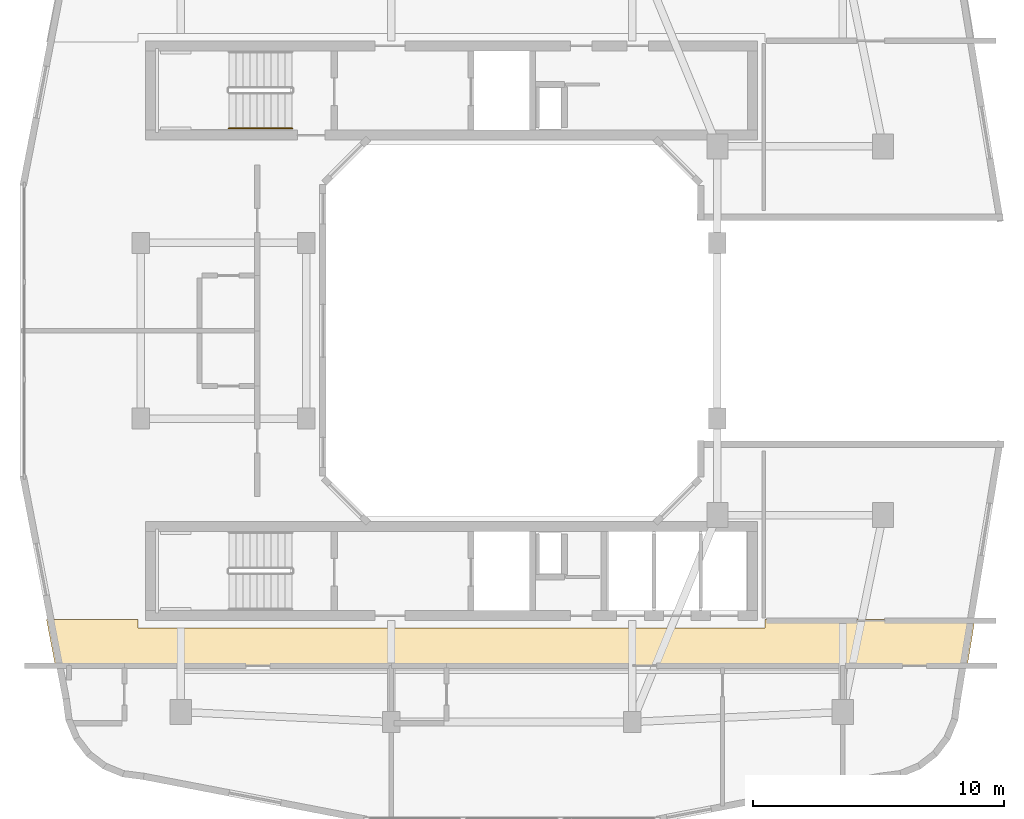
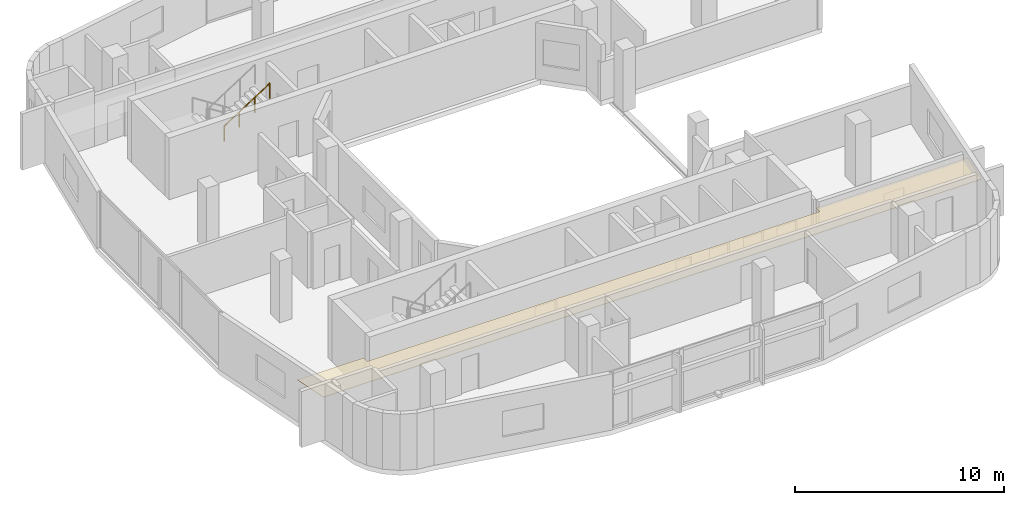
# One storey, part 10 of 12: 1 covering, 1 railing.
"""IFC4 building model written with IfcOpenShell, lengths in metres."""

import ifcopenshell
import ifcopenshell.guid

model = None  # the IFC model being written
_history = None  # IfcOwnerHistory: only IFC2X3 demands one
_inside = {}  # id of a spatial element -> (the spatial element, [elements in it])
_under = {}  # id of a project, library or spatial element -> (it, [spatial elements below it])
_declared = {}  # id of a project -> (the project, [libraries it declares])
_typed = {}  # id of a type object -> (the type object, [elements of that type])
_made_of = {}  # id of a material, layer set ... -> (it, [elements and type objects made of it])


def new_model(schema):
    """Start an empty IFC model of exactly this schema.

    Asked for "IFC4X3", IfcOpenShell would pick the latest addendum, in which some entities
    have other attributes; the version numbers below select the first issue.
    IFC2X3 requires an IfcOwnerHistory on every rooted entity: one is made here for all.
    """
    global model, _history
    if schema == "IFC4X3":
        model = ifcopenshell.file(schema_version=(4, 3, 0, 0))
    else:
        model = ifcopenshell.file(schema=schema)
    _inside.clear()
    _under.clear()
    _declared.clear()
    _typed.clear()
    _made_of.clear()
    _history = None
    if model.schema == "IFC2X3":
        org = make("IfcOrganization", Name="unknown")
        user = make(
            "IfcPersonAndOrganization",
            ThePerson=make("IfcPerson", FamilyName="unknown"),
            TheOrganization=org,
        )
        app = make(
            "IfcApplication",
            ApplicationDeveloper=org,
            Version="unknown",
            ApplicationFullName="unknown",
            ApplicationIdentifier="unknown",
        )
        _history = make(
            "IfcOwnerHistory",
            OwningUser=user,
            OwningApplication=app,
            ChangeAction="ADDED",
            CreationDate=0,
        )
    return model


def make(cls, **values):
    """One entity of the class cls with the attributes given. An attribute that is None is left unset."""
    return model.create_entity(
        cls, **{name: value for name, value in values.items() if value is not None}
    )


def rooted(cls, **values):
    """An entity with a GlobalId (a new one), such as an element, a storey or a relation."""
    return make(cls, GlobalId=ifcopenshell.guid.new(), OwnerHistory=_history, **values)


def si_unit(unit_type, name, prefix=None):
    """IfcSIUnit, for example si_unit("LENGTHUNIT", "METRE", prefix="MILLI")."""
    return make("IfcSIUnit", UnitType=unit_type, Prefix=prefix, Name=name)


def derived_unit(unit_type, elements):
    """IfcDerivedUnit: a product of units, each with its exponent."""
    return make(
        "IfcDerivedUnit",
        Elements=[
            make("IfcDerivedUnitElement", Unit=unit, Exponent=power)
            for unit, power in elements
        ],
        UnitType=unit_type,
    )


def assignment(units):
    """IfcUnitAssignment: the units of a project."""
    return None if units is None else make("IfcUnitAssignment", Units=units)


def point(xyz):
    """IfcCartesianPoint."""
    return None if xyz is None else make("IfcCartesianPoint", Coordinates=xyz)


def direction(xyz):
    """IfcDirection."""
    return None if xyz is None else make("IfcDirection", DirectionRatios=xyz)


def frame(location, z_axis=None, x_axis=None):
    """IfcAxis2Placement3D, a coordinate frame: its origin and axes. An axis left out is left unset."""
    return make(
        "IfcAxis2Placement3D",
        Location=point(location),
        Axis=direction(z_axis),
        RefDirection=direction(x_axis),
    )


def frame_2d(location, x_axis=None):
    """IfcAxis2Placement2D, a coordinate frame in the plane: its origin and x axis."""
    return make(
        "IfcAxis2Placement2D", Location=point(location), RefDirection=direction(x_axis)
    )


def origin():
    """The frame at (0, 0, 0) with its axes left unset."""
    return frame((0.0, 0.0, 0.0))


def origin_2d():
    """The frame at (0, 0) in the plane with its x axis left unset."""
    return frame_2d((0.0, 0.0))


def place(relative_to, where):
    """IfcLocalPlacement: puts the frame where relative to a parent placement (None: the world)."""
    return make(
        "IfcLocalPlacement", PlacementRelTo=relative_to, RelativePlacement=where
    )


def context(
    kind, dimensions, precision=None, world=None, true_north=None, identifier=None
):
    """IfcGeometricRepresentationContext, for example the 3D "Model" context."""
    return make(
        "IfcGeometricRepresentationContext",
        ContextIdentifier=identifier,
        ContextType=kind,
        CoordinateSpaceDimension=dimensions,
        Precision=precision,
        WorldCoordinateSystem=world,
        TrueNorth=true_north,
    )


def subcontext(parent, identifier, kind, view, scale=None):
    """IfcGeometricRepresentationSubContext, for example "Body" below "Model"."""
    return make(
        "IfcGeometricRepresentationSubContext",
        ContextIdentifier=identifier,
        ContextType=kind,
        ParentContext=parent,
        TargetScale=scale,
        TargetView=view,
    )


def project(units=None, contexts=None):
    """IfcProject with its units and contexts."""
    return rooted(
        "IfcProject",
        Name="project",
        RepresentationContexts=contexts,
        UnitsInContext=assignment(units),
    )


def spatial(cls, under=None, at=None, **own):
    """A site, building, storey or space (cls), placed at a placement, below another one or the project."""
    s = rooted(cls, ObjectPlacement=at, **own)
    if under is not None:
        _under.setdefault(under.id(), (under, []))[1].append(s)
    return s


def polyline(points):
    """IfcPolyline through the points."""
    return make("IfcPolyline", Points=[point(p) for p in points])


def profile(cls, at=None, kind="AREA", **sizes):
    """A parametric profile (cls). Its sizes go by their IFC names, for example OverallWidth=200.0."""
    return make(cls, ProfileType=kind, Position=at, **sizes)


def circle(**sizes):
    """IfcCircleProfileDef."""
    return profile("IfcCircleProfileDef", **sizes)


def outline(outer, holes=None, kind="AREA"):
    """IfcArbitraryClosedProfileDef: a profile drawn as a closed curve; with holes, ...WithVoids."""
    if holes is None:
        return make("IfcArbitraryClosedProfileDef", ProfileType=kind, OuterCurve=outer)
    return make(
        "IfcArbitraryProfileDefWithVoids",
        ProfileType=kind,
        OuterCurve=outer,
        InnerCurves=holes,
    )


def extrude(swept, where, along, depth):
    """IfcExtrudedAreaSolid: the profile swept, set in the frame where, extruded along a direction by depth."""
    return make(
        "IfcExtrudedAreaSolid",
        SweptArea=swept,
        Position=where,
        ExtrudedDirection=direction(along),
        Depth=depth,
    )


def shape(context_of_items, identifier, shape_type, items):
    """IfcShapeRepresentation: the items that make up one representation, for example the "Body"."""
    return make(
        "IfcShapeRepresentation",
        ContextOfItems=context_of_items,
        RepresentationIdentifier=identifier,
        RepresentationType=shape_type,
        Items=items,
    )


def material(Name=None, Category=None):
    """IfcMaterial."""
    return make("IfcMaterial", Name=Name, Category=Category)


def layer(
    of_material, thickness, ventilated=None, Name=None, Category=None, Priority=None
):
    """IfcMaterialLayer: one layer of a wall or slab, of a material (None: an air gap)."""
    return make(
        "IfcMaterialLayer",
        Material=of_material,
        LayerThickness=thickness,
        IsVentilated=ventilated,
        Name=Name,
        Category=Category,
        Priority=Priority,
    )


def layer_set(layers, Name=None):
    """IfcMaterialLayerSet."""
    return make("IfcMaterialLayerSet", MaterialLayers=layers, LayerSetName=Name)


def made_of(thing, what):
    """Note that an element or type object is made of a material, layer set ...; save() writes the relation."""
    if what is not None:
        _made_of.setdefault(what.id(), (what, []))[1].append(thing)
    return thing


def type_object(cls, material=None, **own):
    """A type object (cls), such as IfcWallType, which elements share."""
    return made_of(rooted(cls, **own), material)


def element(
    cls,
    number,
    at=None,
    inside=None,
    cuts=None,
    type_object=None,
    material=None,
    context=None,
    identifier="Body",
    shape_type=None,
    held_by="IfcProductDefinitionShape",
    body=None,
    shapes=None,
    **own,
):
    """One element of the class cls, such as IfcWall. Its Tag is "e" and its number.

    at: its placement. inside: the storey or other place that contains it. cuts: it is an
    opening in that element (IfcRelVoidsElement). A single representation is given by context,
    identifier, shape_type and body (its items); several are given by shapes. held_by: the class
    of the entity that holds the representations. save() writes the other relations.
    """
    e = rooted(cls, Tag="e%d" % number, ObjectPlacement=at, **own)
    if body is not None:
        shapes = [shape(context, identifier, shape_type, body)]
    if shapes is not None:
        e.Representation = make(held_by, Representations=shapes)
    if inside is not None:
        _inside.setdefault(inside.id(), (inside, []))[1].append(e)
    if cuts is not None:
        rooted(
            "IfcRelVoidsElement", RelatingBuildingElement=cuts, RelatedOpeningElement=e
        )
    if type_object is not None:
        _typed.setdefault(type_object.id(), (type_object, []))[1].append(e)
    return made_of(e, material)


def aggregate(whole, parts):
    """IfcRelAggregates: a whole, such as a stair, and the parts it consists of."""
    return rooted("IfcRelAggregates", RelatingObject=whole, RelatedObjects=parts)


def save(model, path):
    """Write the relations noted so far, then the file.

    IfcRelAggregates (storeys below a building ...), IfcRelContainedInSpatialStructure (elements
    in a storey), IfcRelDefinesByType, IfcRelAssociatesMaterial and IfcRelDeclares: one each for
    every whole, place, type object, material and project.
    """
    for whole, parts in _under.values():
        aggregate(whole, parts)
    for where, things in _inside.values():
        rooted(
            "IfcRelContainedInSpatialStructure",
            RelatedElements=things,
            RelatingStructure=where,
        )
    for kind, things in _typed.values():
        rooted("IfcRelDefinesByType", RelatedObjects=things, RelatingType=kind)
    for what, things in _made_of.values():
        rooted("IfcRelAssociatesMaterial", RelatedObjects=things, RelatingMaterial=what)
    for by, libraries in _declared.values():
        rooted("IfcRelDeclares", RelatingContext=by, RelatedDefinitions=libraries)
    model.write(path)


model = new_model("IFC4")

# Units and contexts
model_context = context("Model", 3, precision=1e-05, world=origin(), true_north=direction((0.0, 1.0)))
body_context = subcontext(model_context, "Body", "Model", "MODEL_VIEW")
ifc_project = project(units=[si_unit("LENGTHUNIT", "METRE"), si_unit("AREAUNIT", "SQUARE_METRE"), si_unit("VOLUMEUNIT", "CUBIC_METRE"), si_unit("PLANEANGLEUNIT", "RADIAN"), si_unit("MASSUNIT", "GRAM", prefix="KILO"), derived_unit("THERMALTRANSMITTANCEUNIT", [(si_unit("POWERUNIT", "WATT"), 1), (si_unit("LENGTHUNIT", "METRE"), -2), (si_unit("THERMODYNAMICTEMPERATUREUNIT", "KELVIN"), -1)])], contexts=[model_context])

# Site, building, storey
site_placement = place(None, origin())
site = spatial("IfcSite", under=ifc_project, at=site_placement, CompositionType="ELEMENT")
building_placement = place(site_placement, origin())
building = spatial("IfcBuilding", under=site, at=building_placement, Name="Kivonza Crest Hotel", CompositionType="ELEMENT")
storey_placement = place(building_placement, frame((0.0, 0.0, 195.5)))
storey = spatial("IfcBuildingStorey", under=building, at=storey_placement, Name="L53", CompositionType="ELEMENT", Elevation=195.5)

# Covering
ifc_material_1 = material(Name="Moisture-resistant gypsum plasterboard ceiling", Category="gypsum")
ifc_layer = layer(ifc_material_1, 0.030029296875)
ifc_layer_set = layer_set([ifc_layer], Name="Moisture-resistant gypsum plasterboard ceiling")
covering_type = type_object("IfcCoveringType", Name="CV-CEIL-GYP", PredefinedType="CEILING", material=ifc_layer_set)
covering_placement = place(storey_placement, frame((0.0, 0.0, 2.449951171875)))
element("IfcCovering", 1, at=covering_placement, inside=storey, type_object=covering_type, Name="L53 Hotel South Guest Corridor suspended ceiling", PredefinedType="CEILING", context=body_context, shape_type="SweptSolid", body=[
    extrude(outline(polyline([(2.447021484375, 13.47998046875), (2.806884765625, 11.610107421875), (39.156982421875, 11.610107421875), (39.465087890625, 13.47998046875), (31.10009765625, 13.47998046875), (31.10009765625, 13.139892578125), (6.10009765625, 13.139892578125), (6.10009765625, 13.47998046875), (2.447021484375, 13.47998046875)])), origin(), (0.0, 0.0, 1.0), 0.030029296875),
])

# Railing
ifc_material_2 = material(Name="Brushed stainless steel handrail", Category="steel")
railing_type = type_object("IfcRailingType", Name="RL-HAND-900", PredefinedType="HANDRAIL", material=ifc_material_2)
railing_placement = place(storey_placement, frame((9.719970703125, 33.070068359375, 1.97998046875)))
element("IfcRailing", 2, at=railing_placement, inside=storey, type_object=railing_type, Name="L53 ST-T1-N stair handrail 2", PredefinedType="HANDRAIL", context=body_context, shape_type="SweptSolid", body=[
    extrude(circle(Radius=0.02392578125, at=origin_2d()), frame((0.0, 0.0, 0.8759765625), z_axis=(0.841162588446, 0.0, 0.540782303519), x_axis=(0.0, 1.0, 0.0)), (0.0, 0.0, 1.0), 2.995849609375),
    extrude(circle(Radius=0.02099609375, at=origin_2d()), origin(), (0.0, 0.0, 1.0), 0.851806640625),
    extrude(circle(Radius=0.02099609375, at=origin_2d()), frame((0.840087890625, 0.0, 0.5400390625)), (0.0, 0.0, 1.0), 0.851806640625),
    extrude(circle(Radius=0.02099609375, at=origin_2d()), frame((1.679931640625, 0.0, 1.080078125)), (0.0, 0.0, 1.0), 0.851806640625),
    extrude(circle(Radius=0.02099609375, at=origin_2d()), frame((2.52001953125, 0.0, 1.6201171875)), (0.0, 0.0, 1.0), 0.851806640625),
])

save(model, "model.ifc")
